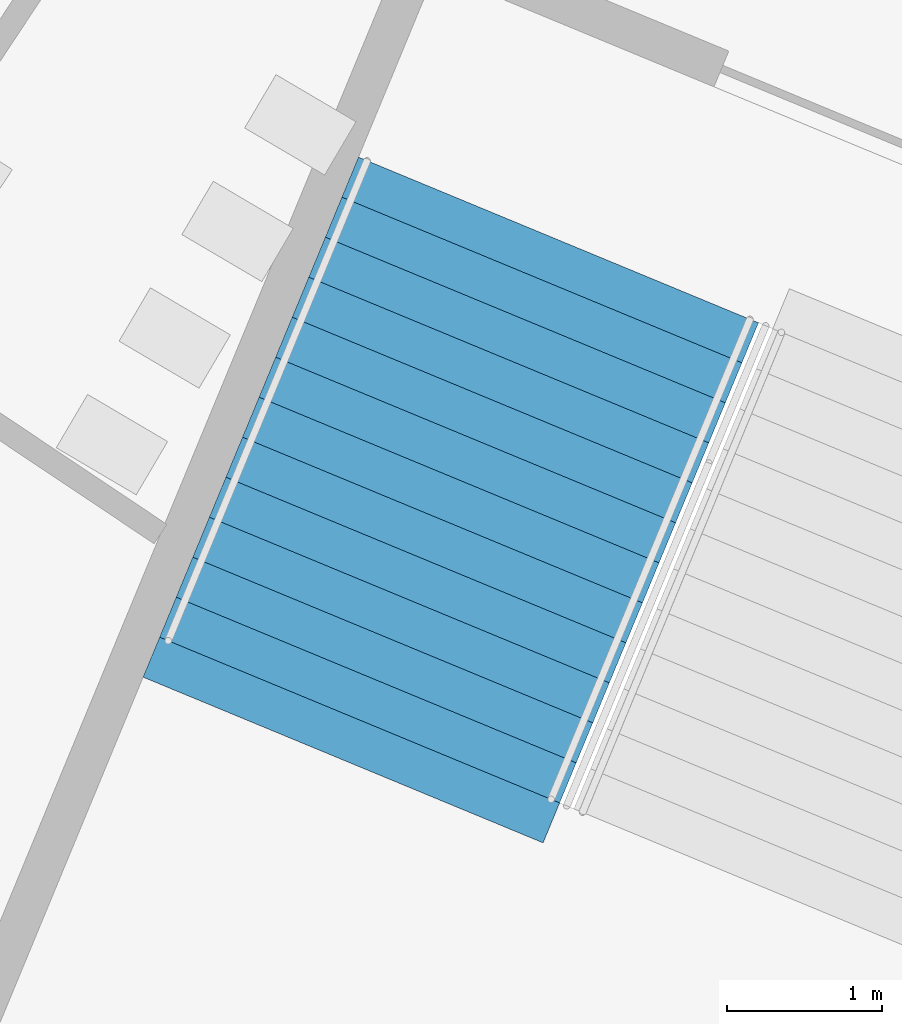
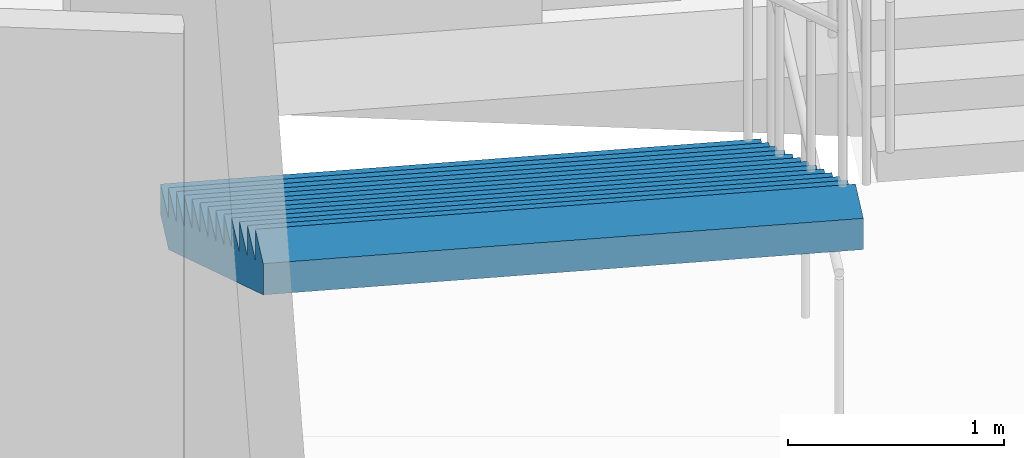
# One storey, part 84 of 177: 1 stair flight, 1 element without a shape of its own.
"""IFC4 building model written with IfcOpenShell, lengths in metres."""

import ifcopenshell
import ifcopenshell.guid

model = None  # the IFC model being written
_history = None  # IfcOwnerHistory: only IFC2X3 demands one
_inside = {}  # id of a spatial element -> (the spatial element, [elements in it])
_under = {}  # id of a project, library or spatial element -> (it, [spatial elements below it])
_declared = {}  # id of a project -> (the project, [libraries it declares])
_typed = {}  # id of a type object -> (the type object, [elements of that type])
_made_of = {}  # id of a material, layer set ... -> (it, [elements and type objects made of it])


def new_model(schema):
    """Start an empty IFC model of exactly this schema.

    Asked for "IFC4X3", IfcOpenShell would pick the latest addendum, in which some entities
    have other attributes; the version numbers below select the first issue.
    IFC2X3 requires an IfcOwnerHistory on every rooted entity: one is made here for all.
    """
    global model, _history
    if schema == "IFC4X3":
        model = ifcopenshell.file(schema_version=(4, 3, 0, 0))
    else:
        model = ifcopenshell.file(schema=schema)
    _inside.clear()
    _under.clear()
    _declared.clear()
    _typed.clear()
    _made_of.clear()
    _history = None
    if model.schema == "IFC2X3":
        org = make("IfcOrganization", Name="unknown")
        user = make(
            "IfcPersonAndOrganization",
            ThePerson=make("IfcPerson", FamilyName="unknown"),
            TheOrganization=org,
        )
        app = make(
            "IfcApplication",
            ApplicationDeveloper=org,
            Version="unknown",
            ApplicationFullName="unknown",
            ApplicationIdentifier="unknown",
        )
        _history = make(
            "IfcOwnerHistory",
            OwningUser=user,
            OwningApplication=app,
            ChangeAction="ADDED",
            CreationDate=0,
        )
    return model


def make(cls, **values):
    """One entity of the class cls with the attributes given. An attribute that is None is left unset."""
    return model.create_entity(
        cls, **{name: value for name, value in values.items() if value is not None}
    )


def rooted(cls, **values):
    """An entity with a GlobalId (a new one), such as an element, a storey or a relation."""
    return make(cls, GlobalId=ifcopenshell.guid.new(), OwnerHistory=_history, **values)


def si_unit(unit_type, name, prefix=None):
    """IfcSIUnit, for example si_unit("LENGTHUNIT", "METRE", prefix="MILLI")."""
    return make("IfcSIUnit", UnitType=unit_type, Prefix=prefix, Name=name)


def assignment(units):
    """IfcUnitAssignment: the units of a project."""
    return None if units is None else make("IfcUnitAssignment", Units=units)


def point(xyz):
    """IfcCartesianPoint."""
    return None if xyz is None else make("IfcCartesianPoint", Coordinates=xyz)


def direction(xyz):
    """IfcDirection."""
    return None if xyz is None else make("IfcDirection", DirectionRatios=xyz)


def frame(location, z_axis=None, x_axis=None):
    """IfcAxis2Placement3D, a coordinate frame: its origin and axes. An axis left out is left unset."""
    return make(
        "IfcAxis2Placement3D",
        Location=point(location),
        Axis=direction(z_axis),
        RefDirection=direction(x_axis),
    )


def origin():
    """The frame at (0, 0, 0) with its axes left unset."""
    return frame((0.0, 0.0, 0.0))


def place(relative_to, where):
    """IfcLocalPlacement: puts the frame where relative to a parent placement (None: the world)."""
    return make(
        "IfcLocalPlacement", PlacementRelTo=relative_to, RelativePlacement=where
    )


def context(
    kind, dimensions, precision=None, world=None, true_north=None, identifier=None
):
    """IfcGeometricRepresentationContext, for example the 3D "Model" context."""
    return make(
        "IfcGeometricRepresentationContext",
        ContextIdentifier=identifier,
        ContextType=kind,
        CoordinateSpaceDimension=dimensions,
        Precision=precision,
        WorldCoordinateSystem=world,
        TrueNorth=true_north,
    )


def subcontext(parent, identifier, kind, view, scale=None):
    """IfcGeometricRepresentationSubContext, for example "Body" below "Model"."""
    return make(
        "IfcGeometricRepresentationSubContext",
        ContextIdentifier=identifier,
        ContextType=kind,
        ParentContext=parent,
        TargetScale=scale,
        TargetView=view,
    )


def project(units=None, contexts=None):
    """IfcProject with its units and contexts."""
    return rooted(
        "IfcProject",
        Name="project",
        RepresentationContexts=contexts,
        UnitsInContext=assignment(units),
    )


def spatial(cls, under=None, at=None, **own):
    """A site, building, storey or space (cls), placed at a placement, below another one or the project."""
    s = rooted(cls, ObjectPlacement=at, **own)
    if under is not None:
        _under.setdefault(under.id(), (under, []))[1].append(s)
    return s


def faces_of(points, faces, orient=None, outer=None):
    """IfcFace entities. A face is a list of loops; a loop is a list of indices into points, from 0.

    orient and outer hold one flag for each loop. By default every Orientation is true, the
    first loop of a face is its IfcFaceOuterBound and the others are IfcFaceBound.
    """
    made = []
    for i, loops in enumerate(faces):
        bounds = []
        for j, loop in enumerate(loops):
            is_outer = j == 0 if outer is None else outer[i][j]
            bounds.append(
                make(
                    "IfcFaceOuterBound" if is_outer else "IfcFaceBound",
                    Bound=make("IfcPolyLoop", Polygon=[points[k] for k in loop]),
                    Orientation=True if orient is None else orient[i][j],
                )
            )
        made.append(make("IfcFace", Bounds=bounds))
    return made


def faceted_brep(points, faces, orient=None, outer=None, voids=None):
    """IfcFacetedBrep: a solid bounded by flat faces; with voids (closed shells), ...WithVoids."""
    shared = [point(p) for p in points]
    hull = make("IfcClosedShell", CfsFaces=faces_of(shared, faces, orient, outer))
    if voids is None:
        return make("IfcFacetedBrep", Outer=hull)
    return make(
        "IfcFacetedBrepWithVoids",
        Outer=hull,
        Voids=[
            make(cls, CfsFaces=faces_of(shared, fs, o, b)) for cls, fs, o, b in voids
        ],
    )


def shape(context_of_items, identifier, shape_type, items):
    """IfcShapeRepresentation: the items that make up one representation, for example the "Body"."""
    return make(
        "IfcShapeRepresentation",
        ContextOfItems=context_of_items,
        RepresentationIdentifier=identifier,
        RepresentationType=shape_type,
        Items=items,
    )


def material(Name=None, Category=None):
    """IfcMaterial."""
    return make("IfcMaterial", Name=Name, Category=Category)


def made_of(thing, what):
    """Note that an element or type object is made of a material, layer set ...; save() writes the relation."""
    if what is not None:
        _made_of.setdefault(what.id(), (what, []))[1].append(thing)
    return thing


def type_object(cls, material=None, **own):
    """A type object (cls), such as IfcWallType, which elements share."""
    return made_of(rooted(cls, **own), material)


def element(
    cls,
    number,
    at=None,
    inside=None,
    cuts=None,
    type_object=None,
    material=None,
    context=None,
    identifier="Body",
    shape_type=None,
    held_by="IfcProductDefinitionShape",
    body=None,
    shapes=None,
    **own,
):
    """One element of the class cls, such as IfcWall. Its Tag is "e" and its number.

    at: its placement. inside: the storey or other place that contains it. cuts: it is an
    opening in that element (IfcRelVoidsElement). A single representation is given by context,
    identifier, shape_type and body (its items); several are given by shapes. held_by: the class
    of the entity that holds the representations. save() writes the other relations.
    """
    e = rooted(cls, Tag="e%d" % number, ObjectPlacement=at, **own)
    if body is not None:
        shapes = [shape(context, identifier, shape_type, body)]
    if shapes is not None:
        e.Representation = make(held_by, Representations=shapes)
    if inside is not None:
        _inside.setdefault(inside.id(), (inside, []))[1].append(e)
    if cuts is not None:
        rooted(
            "IfcRelVoidsElement", RelatingBuildingElement=cuts, RelatedOpeningElement=e
        )
    if type_object is not None:
        _typed.setdefault(type_object.id(), (type_object, []))[1].append(e)
    return made_of(e, material)


def aggregate(whole, parts):
    """IfcRelAggregates: a whole, such as a stair, and the parts it consists of."""
    return rooted("IfcRelAggregates", RelatingObject=whole, RelatedObjects=parts)


def save(model, path):
    """Write the relations noted so far, then the file.

    IfcRelAggregates (storeys below a building ...), IfcRelContainedInSpatialStructure (elements
    in a storey), IfcRelDefinesByType, IfcRelAssociatesMaterial and IfcRelDeclares: one each for
    every whole, place, type object, material and project.
    """
    for whole, parts in _under.values():
        aggregate(whole, parts)
    for where, things in _inside.values():
        rooted(
            "IfcRelContainedInSpatialStructure",
            RelatedElements=things,
            RelatingStructure=where,
        )
    for kind, things in _typed.values():
        rooted("IfcRelDefinesByType", RelatedObjects=things, RelatingType=kind)
    for what, things in _made_of.values():
        rooted("IfcRelAssociatesMaterial", RelatedObjects=things, RelatingMaterial=what)
    for by, libraries in _declared.values():
        rooted("IfcRelDeclares", RelatingContext=by, RelatedDefinitions=libraries)
    model.write(path)


model = new_model("IFC4")

# Units and contexts
model_context = context("Model", 3, precision=1e-05, world=origin(), true_north=direction((0.0, 1.0)))
body_context = subcontext(model_context, "Body", "Model", "MODEL_VIEW")
ifc_project = project(units=[si_unit("LENGTHUNIT", "METRE"), si_unit("AREAUNIT", "SQUARE_METRE"), si_unit("VOLUMEUNIT", "CUBIC_METRE"), si_unit("PLANEANGLEUNIT", "RADIAN"), si_unit("MASSUNIT", "GRAM", prefix="KILO")], contexts=[model_context])

# Site, building, storey
site_placement = place(None, origin())
site = spatial("IfcSite", under=ifc_project, at=site_placement, CompositionType="ELEMENT")
building_placement = place(site_placement, origin())
building = spatial("IfcBuilding", under=site, at=building_placement, Name="Ogive Plaza Stadium", CompositionType="ELEMENT")
storey_placement = place(building_placement, frame((0.0, 0.0, 18.0)))
storey = spatial("IfcBuildingStorey", under=building, at=storey_placement, Name="L04", CompositionType="ELEMENT", Elevation=18.0)

# Stair, stair flight
ifc_material_1 = material(Name="Concrete C40/50", Category="concrete")
stair_type = type_object("IfcStairType", Name="Exit stair", PredefinedType="STRAIGHT_RUN_STAIR", material=ifc_material_1)
stair_placement = place(storey_placement, origin())
stair = element("IfcStair", 1, at=stair_placement, inside=storey, type_object=stair_type, Name="Exit stair ST18A L04 to L05", PredefinedType="STRAIGHT_RUN_STAIR")
ifc_material_2 = material(Name="Concrete C40/50", Category="concrete")
stair_flight_type = type_object("IfcStairFlightType", Name="Exit stair flight", PredefinedType="STRAIGHT", material=ifc_material_2)
stair_flight_placement = place(storey_placement, frame((-54.294921875, -89.932861328125, 0.0), z_axis=(0.0, 0.0, 1.0), x_axis=(-0.382683432365, -0.923879532511, 0.0)))
stair_flight = element("IfcStairFlight", 2, at=stair_flight_placement, type_object=stair_flight_type, Name="ST18A flight 1", NumberOfRisers=13, NumberOfTreads=12, PredefinedType="STRAIGHT", RiserHeight=0.173076923, TreadLength=0.28, context=body_context, shape_type="Brep", body=[
    faceted_brep([(0.28515625, -1.39990234375, 0.0), (3.639892578125, -1.39990234375, 2.07373046875), (3.639892578125, -1.39990234375, 2.25), (3.360107421875, -1.39990234375, 2.25), (3.360107421875, -1.39990234375, 2.076904296875), (3.080078125, -1.39990234375, 2.076904296875), (3.080078125, -1.39990234375, 1.90380859375), (2.800048828125, -1.39990234375, 1.90380859375), (2.800048828125, -1.39990234375, 1.730712890625), (2.52001953125, -1.39990234375, 1.730712890625), (2.52001953125, -1.39990234375, 1.5576171875), (2.239990234375, -1.39990234375, 1.5576171875), (2.239990234375, -1.39990234375, 1.384521484375), (1.9599609375, -1.39990234375, 1.384521484375), (1.9599609375, -1.39990234375, 1.21142578125), (1.679931640625, -1.39990234375, 1.21142578125), (1.679931640625, -1.39990234375, 1.03857421875), (1.39990234375, -1.39990234375, 1.03857421875), (1.39990234375, -1.39990234375, 0.865478515625), (1.1201171875, -1.39990234375, 0.865478515625), (1.1201171875, -1.39990234375, 0.6923828125), (0.840087890625, -1.39990234375, 0.6923828125), (0.840087890625, -1.39990234375, 0.519287109375), (0.56005859375, -1.39990234375, 0.519287109375), (0.56005859375, -1.39990234375, 0.34619140625), (0.280029296875, -1.39990234375, 0.34619140625), (0.280029296875, -1.39990234375, 0.173095703125), (0.0, -1.39990234375, 0.173095703125), (0.0, -1.39990234375, 0.0), (0.0, 1.39990234375, 0.0), (0.0, 1.39990234375, 0.173095703125), (0.280029296875, 1.39990234375, 0.173095703125), (0.280029296875, 1.39990234375, 0.34619140625), (0.56005859375, 1.39990234375, 0.34619140625), (0.56005859375, 1.39990234375, 0.519287109375), (0.840087890625, 1.39990234375, 0.519287109375), (0.840087890625, 1.39990234375, 0.6923828125), (1.1201171875, 1.39990234375, 0.6923828125), (1.1201171875, 1.39990234375, 0.865478515625), (1.39990234375, 1.39990234375, 0.865478515625), (1.39990234375, 1.39990234375, 1.03857421875), (1.679931640625, 1.39990234375, 1.03857421875), (1.679931640625, 1.39990234375, 1.21142578125), (1.9599609375, 1.39990234375, 1.21142578125), (1.9599609375, 1.39990234375, 1.384521484375), (2.239990234375, 1.39990234375, 1.384521484375), (2.239990234375, 1.39990234375, 1.5576171875), (2.52001953125, 1.39990234375, 1.5576171875), (2.52001953125, 1.39990234375, 1.730712890625), (2.800048828125, 1.39990234375, 1.730712890625), (2.800048828125, 1.39990234375, 1.90380859375), (3.080078125, 1.39990234375, 1.90380859375), (3.080078125, 1.39990234375, 2.076904296875), (3.360107421875, 1.39990234375, 2.076904296875), (3.360107421875, 1.39990234375, 2.25), (3.639892578125, 1.39990234375, 2.25), (3.639892578125, 1.39990234375, 2.07373046875), (0.28515625, 1.39990234375, 0.0), (0.28515625, -1.0888671875, 0.0), (3.639892578125, -1.0888671875, 2.07373046875), (0.28515625, -0.77783203125, 0.0), (3.639892578125, -0.77783203125, 2.07373046875), (0.28515625, -0.466796875, 0.0), (3.639892578125, -0.466796875, 2.07373046875), (0.28515625, -0.155517578125, 0.0), (3.639892578125, -0.155517578125, 2.07373046875), (0.28515625, 0.155517578125, 0.0), (3.639892578125, 0.155517578125, 2.07373046875), (0.28515625, 0.466796875, 0.0), (3.639892578125, 0.466796875, 2.07373046875), (0.28515625, 0.77783203125, 0.0), (3.639892578125, 0.77783203125, 2.07373046875), (0.28515625, 1.0888671875, 0.0), (3.639892578125, 1.0888671875, 2.07373046875), (3.639892578125, -1.0888671875, 2.25), (3.639892578125, -0.77783203125, 2.25), (3.639892578125, -0.466796875, 2.25), (3.639892578125, -0.155517578125, 2.25), (3.639892578125, 0.155517578125, 2.25), (3.639892578125, 0.466796875, 2.25), (3.639892578125, 0.77783203125, 2.25), (3.639892578125, 1.0888671875, 2.25), (3.360107421875, -1.0888671875, 2.25), (3.360107421875, -0.77783203125, 2.25), (3.360107421875, -0.466796875, 2.25), (3.360107421875, -0.155517578125, 2.25), (3.360107421875, 0.155517578125, 2.25), (3.360107421875, 0.466796875, 2.25), (3.360107421875, 0.77783203125, 2.25), (3.360107421875, 1.0888671875, 2.25), (3.360107421875, -1.0888671875, 2.076904296875), (3.360107421875, -0.77783203125, 2.076904296875), (3.360107421875, -0.466796875, 2.076904296875), (3.360107421875, -0.155517578125, 2.076904296875), (3.360107421875, 0.155517578125, 2.076904296875), (3.360107421875, 0.466796875, 2.076904296875), (3.360107421875, 0.77783203125, 2.076904296875), (3.360107421875, 1.0888671875, 2.076904296875), (3.080078125, -1.0888671875, 2.076904296875), (3.080078125, -0.77783203125, 2.076904296875), (3.080078125, -0.466796875, 2.076904296875), (3.080078125, -0.155517578125, 2.076904296875), (3.080078125, 0.155517578125, 2.076904296875), (3.080078125, 0.466796875, 2.076904296875), (3.080078125, 0.77783203125, 2.076904296875), (3.080078125, 1.0888671875, 2.076904296875), (3.080078125, -1.0888671875, 1.90380859375), (3.080078125, -0.77783203125, 1.90380859375), (3.080078125, -0.466796875, 1.90380859375), (3.080078125, -0.155517578125, 1.90380859375), (3.080078125, 0.155517578125, 1.90380859375), (3.080078125, 0.466796875, 1.90380859375), (3.080078125, 0.77783203125, 1.90380859375), (3.080078125, 1.0888671875, 1.90380859375), (2.800048828125, -1.0888671875, 1.90380859375), (2.800048828125, -0.77783203125, 1.90380859375), (2.800048828125, -0.466796875, 1.90380859375), (2.800048828125, -0.155517578125, 1.90380859375), (2.800048828125, 0.155517578125, 1.90380859375), (2.800048828125, 0.466796875, 1.90380859375), (2.800048828125, 0.77783203125, 1.90380859375), (2.800048828125, 1.0888671875, 1.90380859375), (2.800048828125, -1.0888671875, 1.730712890625), (2.800048828125, -0.77783203125, 1.730712890625), (2.800048828125, -0.466796875, 1.730712890625), (2.800048828125, -0.155517578125, 1.730712890625), (2.800048828125, 0.155517578125, 1.730712890625), (2.800048828125, 0.466796875, 1.730712890625), (2.800048828125, 0.77783203125, 1.730712890625), (2.800048828125, 1.0888671875, 1.730712890625), (2.52001953125, -1.0888671875, 1.730712890625), (2.52001953125, -0.77783203125, 1.730712890625), (2.52001953125, -0.466796875, 1.730712890625), (2.52001953125, -0.155517578125, 1.730712890625), (2.52001953125, 0.155517578125, 1.730712890625), (2.52001953125, 0.466796875, 1.730712890625), (2.52001953125, 0.77783203125, 1.730712890625), (2.52001953125, 1.0888671875, 1.730712890625), (2.52001953125, -1.0888671875, 1.5576171875), (2.52001953125, -0.77783203125, 1.5576171875), (2.52001953125, -0.466796875, 1.5576171875), (2.52001953125, -0.155517578125, 1.5576171875), (2.52001953125, 0.155517578125, 1.5576171875), (2.52001953125, 0.466796875, 1.5576171875), (2.52001953125, 0.77783203125, 1.5576171875), (2.52001953125, 1.0888671875, 1.5576171875), (2.239990234375, -1.0888671875, 1.5576171875), (2.239990234375, -0.77783203125, 1.5576171875), (2.239990234375, -0.466796875, 1.5576171875), (2.239990234375, -0.155517578125, 1.5576171875), (2.239990234375, 0.155517578125, 1.5576171875), (2.239990234375, 0.466796875, 1.5576171875), (2.239990234375, 0.77783203125, 1.5576171875), (2.239990234375, 1.0888671875, 1.5576171875), (2.239990234375, -1.0888671875, 1.384521484375), (2.239990234375, -0.77783203125, 1.384521484375), (2.239990234375, -0.466796875, 1.384521484375), (2.239990234375, -0.155517578125, 1.384521484375), (2.239990234375, 0.155517578125, 1.384521484375), (2.239990234375, 0.466796875, 1.384521484375), (2.239990234375, 0.77783203125, 1.384521484375), (2.239990234375, 1.0888671875, 1.384521484375), (1.9599609375, -1.0888671875, 1.384521484375), (1.9599609375, -0.77783203125, 1.384521484375), (1.9599609375, -0.466796875, 1.384521484375), (1.9599609375, -0.155517578125, 1.384521484375), (1.9599609375, 0.155517578125, 1.384521484375), (1.9599609375, 0.466796875, 1.384521484375), (1.9599609375, 0.77783203125, 1.384521484375), (1.9599609375, 1.0888671875, 1.384521484375), (1.9599609375, -1.0888671875, 1.21142578125), (1.9599609375, -0.77783203125, 1.21142578125), (1.9599609375, -0.466796875, 1.21142578125), (1.9599609375, -0.155517578125, 1.21142578125), (1.9599609375, 0.155517578125, 1.21142578125), (1.9599609375, 0.466796875, 1.21142578125), (1.9599609375, 0.77783203125, 1.21142578125), (1.9599609375, 1.0888671875, 1.21142578125), (1.679931640625, -1.0888671875, 1.21142578125), (1.679931640625, -0.77783203125, 1.21142578125), (1.679931640625, -0.466796875, 1.21142578125), (1.679931640625, -0.155517578125, 1.21142578125), (1.679931640625, 0.155517578125, 1.21142578125), (1.679931640625, 0.466796875, 1.21142578125), (1.679931640625, 0.77783203125, 1.21142578125), (1.679931640625, 1.0888671875, 1.21142578125), (1.679931640625, -1.0888671875, 1.03857421875), (1.679931640625, -0.77783203125, 1.03857421875), (1.679931640625, -0.466796875, 1.03857421875), (1.679931640625, -0.155517578125, 1.03857421875), (1.679931640625, 0.155517578125, 1.03857421875), (1.679931640625, 0.466796875, 1.03857421875), (1.679931640625, 0.77783203125, 1.03857421875), (1.679931640625, 1.0888671875, 1.03857421875), (1.39990234375, -1.0888671875, 1.03857421875), (1.39990234375, -0.77783203125, 1.03857421875), (1.39990234375, -0.466796875, 1.03857421875), (1.39990234375, -0.155517578125, 1.03857421875), (1.39990234375, 0.155517578125, 1.03857421875), (1.39990234375, 0.466796875, 1.03857421875), (1.39990234375, 0.77783203125, 1.03857421875), (1.39990234375, 1.0888671875, 1.03857421875), (1.39990234375, -1.0888671875, 0.865478515625), (1.39990234375, -0.77783203125, 0.865478515625), (1.39990234375, -0.466796875, 0.865478515625), (1.39990234375, -0.155517578125, 0.865478515625), (1.39990234375, 0.155517578125, 0.865478515625), (1.39990234375, 0.466796875, 0.865478515625), (1.39990234375, 0.77783203125, 0.865478515625), (1.39990234375, 1.0888671875, 0.865478515625), (1.1201171875, -1.0888671875, 0.865478515625), (1.1201171875, -0.77783203125, 0.865478515625), (1.1201171875, -0.466796875, 0.865478515625), (1.1201171875, -0.155517578125, 0.865478515625), (1.1201171875, 0.155517578125, 0.865478515625), (1.1201171875, 0.466796875, 0.865478515625), (1.1201171875, 0.77783203125, 0.865478515625), (1.1201171875, 1.0888671875, 0.865478515625), (1.1201171875, -1.0888671875, 0.6923828125), (1.1201171875, -0.77783203125, 0.6923828125), (1.1201171875, -0.466796875, 0.6923828125), (1.1201171875, -0.155517578125, 0.6923828125), (1.1201171875, 0.155517578125, 0.6923828125), (1.1201171875, 0.466796875, 0.6923828125), (1.1201171875, 0.77783203125, 0.6923828125), (1.1201171875, 1.0888671875, 0.6923828125), (0.840087890625, -1.0888671875, 0.6923828125), (0.840087890625, -0.77783203125, 0.6923828125), (0.840087890625, -0.466796875, 0.6923828125), (0.840087890625, -0.155517578125, 0.6923828125), (0.840087890625, 0.155517578125, 0.6923828125), (0.840087890625, 0.466796875, 0.6923828125), (0.840087890625, 0.77783203125, 0.6923828125), (0.840087890625, 1.0888671875, 0.6923828125), (0.840087890625, -1.0888671875, 0.519287109375), (0.840087890625, -0.77783203125, 0.519287109375), (0.840087890625, -0.466796875, 0.519287109375), (0.840087890625, -0.155517578125, 0.519287109375), (0.840087890625, 0.155517578125, 0.519287109375), (0.840087890625, 0.466796875, 0.519287109375), (0.840087890625, 0.77783203125, 0.519287109375), (0.840087890625, 1.0888671875, 0.519287109375), (0.56005859375, -1.0888671875, 0.519287109375), (0.56005859375, -0.77783203125, 0.519287109375), (0.56005859375, -0.466796875, 0.519287109375), (0.56005859375, -0.155517578125, 0.519287109375), (0.56005859375, 0.155517578125, 0.519287109375), (0.56005859375, 0.466796875, 0.519287109375), (0.56005859375, 0.77783203125, 0.519287109375), (0.56005859375, 1.0888671875, 0.519287109375), (0.56005859375, -1.0888671875, 0.34619140625), (0.56005859375, -0.77783203125, 0.34619140625), (0.56005859375, -0.466796875, 0.34619140625), (0.56005859375, -0.155517578125, 0.34619140625), (0.56005859375, 0.155517578125, 0.34619140625), (0.56005859375, 0.466796875, 0.34619140625), (0.56005859375, 0.77783203125, 0.34619140625), (0.56005859375, 1.0888671875, 0.34619140625), (0.280029296875, -1.0888671875, 0.34619140625), (0.280029296875, -0.77783203125, 0.34619140625), (0.280029296875, -0.466796875, 0.34619140625), (0.280029296875, -0.155517578125, 0.34619140625), (0.280029296875, 0.155517578125, 0.34619140625), (0.280029296875, 0.466796875, 0.34619140625), (0.280029296875, 0.77783203125, 0.34619140625), (0.280029296875, 1.0888671875, 0.34619140625), (0.280029296875, -1.0888671875, 0.173095703125), (0.280029296875, -0.77783203125, 0.173095703125), (0.280029296875, -0.466796875, 0.173095703125), (0.280029296875, -0.155517578125, 0.173095703125), (0.280029296875, 0.155517578125, 0.173095703125), (0.280029296875, 0.466796875, 0.173095703125), (0.280029296875, 0.77783203125, 0.173095703125), (0.280029296875, 1.0888671875, 0.173095703125), (0.0, -1.0888671875, 0.173095703125), (0.0, -0.77783203125, 0.173095703125), (0.0, -0.466796875, 0.173095703125), (0.0, -0.155517578125, 0.173095703125), (0.0, 0.155517578125, 0.173095703125), (0.0, 0.466796875, 0.173095703125), (0.0, 0.77783203125, 0.173095703125), (0.0, 1.0888671875, 0.173095703125), (0.0, -1.0888671875, 0.0), (0.0, -0.77783203125, 0.0), (0.0, -0.466796875, 0.0), (0.0, -0.155517578125, 0.0), (0.0, 0.155517578125, 0.0), (0.0, 0.466796875, 0.0), (0.0, 0.77783203125, 0.0), (0.0, 1.0888671875, 0.0)], [[[0, 1, 2, 3, 4, 5, 6, 7, 8, 9, 10, 11, 12, 13, 14, 15, 16, 17, 18, 19, 20, 21, 22, 23, 24, 25, 26, 27, 28]], [[29, 30, 31, 32, 33, 34, 35, 36, 37, 38, 39, 40, 41, 42, 43, 44, 45, 46, 47, 48, 49, 50, 51, 52, 53, 54, 55, 56, 57]], [[0, 58, 59, 1]], [[58, 60, 61, 59]], [[60, 62, 63, 61]], [[62, 64, 65, 63]], [[64, 66, 67, 65]], [[66, 68, 69, 67]], [[68, 70, 71, 69]], [[70, 72, 73, 71]], [[72, 57, 56, 73]], [[1, 59, 74, 2]], [[59, 61, 75, 74]], [[61, 63, 76, 75]], [[63, 65, 77, 76]], [[65, 67, 78, 77]], [[67, 69, 79, 78]], [[69, 71, 80, 79]], [[71, 73, 81, 80]], [[73, 56, 55, 81]], [[2, 74, 82, 3]], [[74, 75, 83, 82]], [[75, 76, 84, 83]], [[76, 77, 85, 84]], [[77, 78, 86, 85]], [[78, 79, 87, 86]], [[79, 80, 88, 87]], [[80, 81, 89, 88]], [[81, 55, 54, 89]], [[3, 82, 90, 4]], [[82, 83, 91, 90]], [[83, 84, 92, 91]], [[84, 85, 93, 92]], [[85, 86, 94, 93]], [[86, 87, 95, 94]], [[87, 88, 96, 95]], [[88, 89, 97, 96]], [[89, 54, 53, 97]], [[4, 90, 98, 5]], [[90, 91, 99, 98]], [[91, 92, 100, 99]], [[92, 93, 101, 100]], [[93, 94, 102, 101]], [[94, 95, 103, 102]], [[95, 96, 104, 103]], [[96, 97, 105, 104]], [[97, 53, 52, 105]], [[5, 98, 106, 6]], [[98, 99, 107, 106]], [[99, 100, 108, 107]], [[100, 101, 109, 108]], [[101, 102, 110, 109]], [[102, 103, 111, 110]], [[103, 104, 112, 111]], [[104, 105, 113, 112]], [[105, 52, 51, 113]], [[6, 106, 114, 7]], [[106, 107, 115, 114]], [[107, 108, 116, 115]], [[108, 109, 117, 116]], [[109, 110, 118, 117]], [[110, 111, 119, 118]], [[111, 112, 120, 119]], [[112, 113, 121, 120]], [[113, 51, 50, 121]], [[7, 114, 122, 8]], [[114, 115, 123, 122]], [[115, 116, 124, 123]], [[116, 117, 125, 124]], [[117, 118, 126, 125]], [[118, 119, 127, 126]], [[119, 120, 128, 127]], [[120, 121, 129, 128]], [[121, 50, 49, 129]], [[8, 122, 130, 9]], [[122, 123, 131, 130]], [[123, 124, 132, 131]], [[124, 125, 133, 132]], [[125, 126, 134, 133]], [[126, 127, 135, 134]], [[127, 128, 136, 135]], [[128, 129, 137, 136]], [[129, 49, 48, 137]], [[9, 130, 138, 10]], [[130, 131, 139, 138]], [[131, 132, 140, 139]], [[132, 133, 141, 140]], [[133, 134, 142, 141]], [[134, 135, 143, 142]], [[135, 136, 144, 143]], [[136, 137, 145, 144]], [[137, 48, 47, 145]], [[10, 138, 146, 11]], [[138, 139, 147, 146]], [[139, 140, 148, 147]], [[140, 141, 149, 148]], [[141, 142, 150, 149]], [[142, 143, 151, 150]], [[143, 144, 152, 151]], [[144, 145, 153, 152]], [[145, 47, 46, 153]], [[11, 146, 154, 12]], [[146, 147, 155, 154]], [[147, 148, 156, 155]], [[148, 149, 157, 156]], [[149, 150, 158, 157]], [[150, 151, 159, 158]], [[151, 152, 160, 159]], [[152, 153, 161, 160]], [[153, 46, 45, 161]], [[12, 154, 162, 13]], [[154, 155, 163, 162]], [[155, 156, 164, 163]], [[156, 157, 165, 164]], [[157, 158, 166, 165]], [[158, 159, 167, 166]], [[159, 160, 168, 167]], [[160, 161, 169, 168]], [[161, 45, 44, 169]], [[13, 162, 170, 14]], [[162, 163, 171, 170]], [[163, 164, 172, 171]], [[164, 165, 173, 172]], [[165, 166, 174, 173]], [[166, 167, 175, 174]], [[167, 168, 176, 175]], [[168, 169, 177, 176]], [[169, 44, 43, 177]], [[14, 170, 178, 15]], [[170, 171, 179, 178]], [[171, 172, 180, 179]], [[172, 173, 181, 180]], [[173, 174, 182, 181]], [[174, 175, 183, 182]], [[175, 176, 184, 183]], [[176, 177, 185, 184]], [[177, 43, 42, 185]], [[15, 178, 186, 16]], [[178, 179, 187, 186]], [[179, 180, 188, 187]], [[180, 181, 189, 188]], [[181, 182, 190, 189]], [[182, 183, 191, 190]], [[183, 184, 192, 191]], [[184, 185, 193, 192]], [[185, 42, 41, 193]], [[16, 186, 194, 17]], [[186, 187, 195, 194]], [[187, 188, 196, 195]], [[188, 189, 197, 196]], [[189, 190, 198, 197]], [[190, 191, 199, 198]], [[191, 192, 200, 199]], [[192, 193, 201, 200]], [[193, 41, 40, 201]], [[17, 194, 202, 18]], [[194, 195, 203, 202]], [[195, 196, 204, 203]], [[196, 197, 205, 204]], [[197, 198, 206, 205]], [[198, 199, 207, 206]], [[199, 200, 208, 207]], [[200, 201, 209, 208]], [[201, 40, 39, 209]], [[18, 202, 210, 19]], [[202, 203, 211, 210]], [[203, 204, 212, 211]], [[204, 205, 213, 212]], [[205, 206, 214, 213]], [[206, 207, 215, 214]], [[207, 208, 216, 215]], [[208, 209, 217, 216]], [[209, 39, 38, 217]], [[19, 210, 218, 20]], [[210, 211, 219, 218]], [[211, 212, 220, 219]], [[212, 213, 221, 220]], [[213, 214, 222, 221]], [[214, 215, 223, 222]], [[215, 216, 224, 223]], [[216, 217, 225, 224]], [[217, 38, 37, 225]], [[20, 218, 226, 21]], [[218, 219, 227, 226]], [[219, 220, 228, 227]], [[220, 221, 229, 228]], [[221, 222, 230, 229]], [[222, 223, 231, 230]], [[223, 224, 232, 231]], [[224, 225, 233, 232]], [[225, 37, 36, 233]], [[21, 226, 234, 22]], [[226, 227, 235, 234]], [[227, 228, 236, 235]], [[228, 229, 237, 236]], [[229, 230, 238, 237]], [[230, 231, 239, 238]], [[231, 232, 240, 239]], [[232, 233, 241, 240]], [[233, 36, 35, 241]], [[22, 234, 242, 23]], [[234, 235, 243, 242]], [[235, 236, 244, 243]], [[236, 237, 245, 244]], [[237, 238, 246, 245]], [[238, 239, 247, 246]], [[239, 240, 248, 247]], [[240, 241, 249, 248]], [[241, 35, 34, 249]], [[23, 242, 250, 24]], [[242, 243, 251, 250]], [[243, 244, 252, 251]], [[244, 245, 253, 252]], [[245, 246, 254, 253]], [[246, 247, 255, 254]], [[247, 248, 256, 255]], [[248, 249, 257, 256]], [[249, 34, 33, 257]], [[24, 250, 258, 25]], [[250, 251, 259, 258]], [[251, 252, 260, 259]], [[252, 253, 261, 260]], [[253, 254, 262, 261]], [[254, 255, 263, 262]], [[255, 256, 264, 263]], [[256, 257, 265, 264]], [[257, 33, 32, 265]], [[25, 258, 266, 26]], [[258, 259, 267, 266]], [[259, 260, 268, 267]], [[260, 261, 269, 268]], [[261, 262, 270, 269]], [[262, 263, 271, 270]], [[263, 264, 272, 271]], [[264, 265, 273, 272]], [[265, 32, 31, 273]], [[26, 266, 274, 27]], [[266, 267, 275, 274]], [[267, 268, 276, 275]], [[268, 269, 277, 276]], [[269, 270, 278, 277]], [[270, 271, 279, 278]], [[271, 272, 280, 279]], [[272, 273, 281, 280]], [[273, 31, 30, 281]], [[27, 274, 282, 28]], [[274, 275, 283, 282]], [[275, 276, 284, 283]], [[276, 277, 285, 284]], [[277, 278, 286, 285]], [[278, 279, 287, 286]], [[279, 280, 288, 287]], [[280, 281, 289, 288]], [[281, 30, 29, 289]], [[28, 282, 58, 0]], [[282, 283, 60, 58]], [[283, 284, 62, 60]], [[284, 285, 64, 62]], [[285, 286, 66, 64]], [[286, 287, 68, 66]], [[287, 288, 70, 68]], [[288, 289, 72, 70]], [[289, 29, 57, 72]]]),
])
aggregate(stair, [stair_flight])

save(model, "model.ifc")
